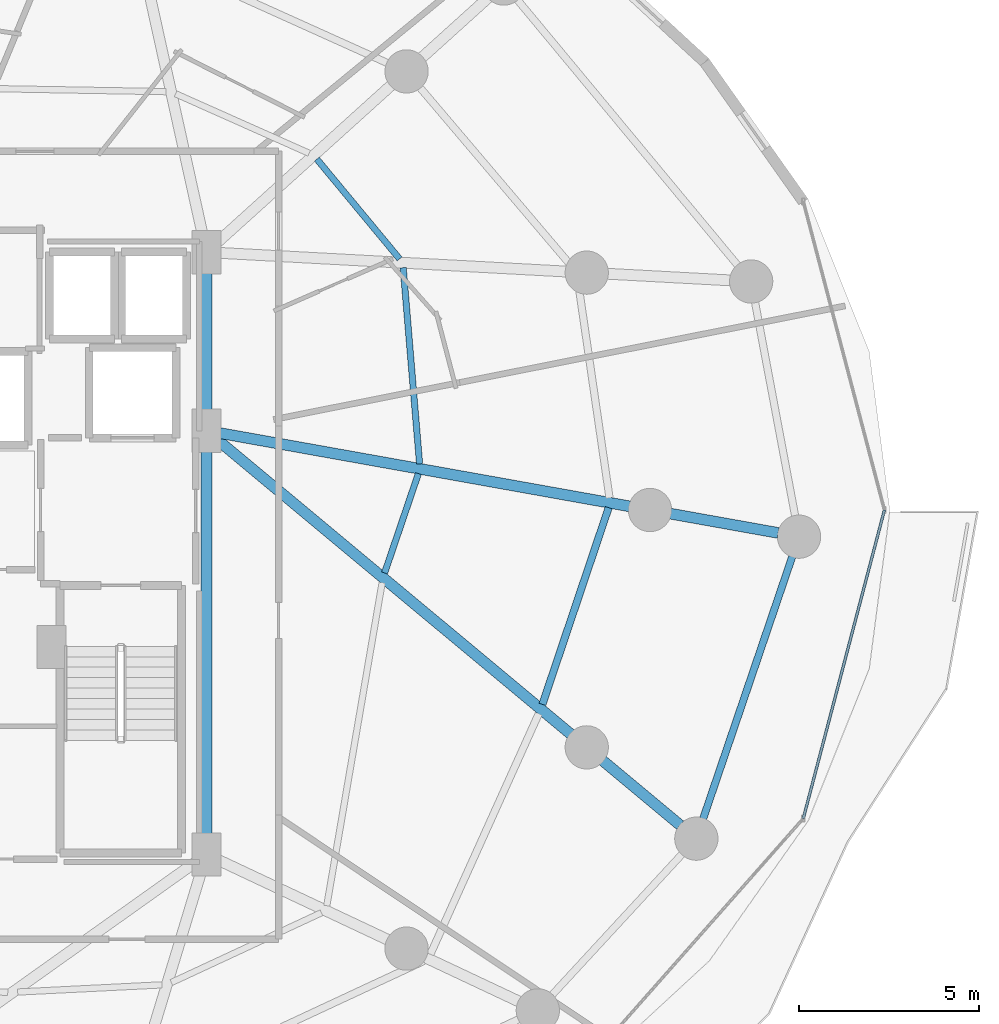
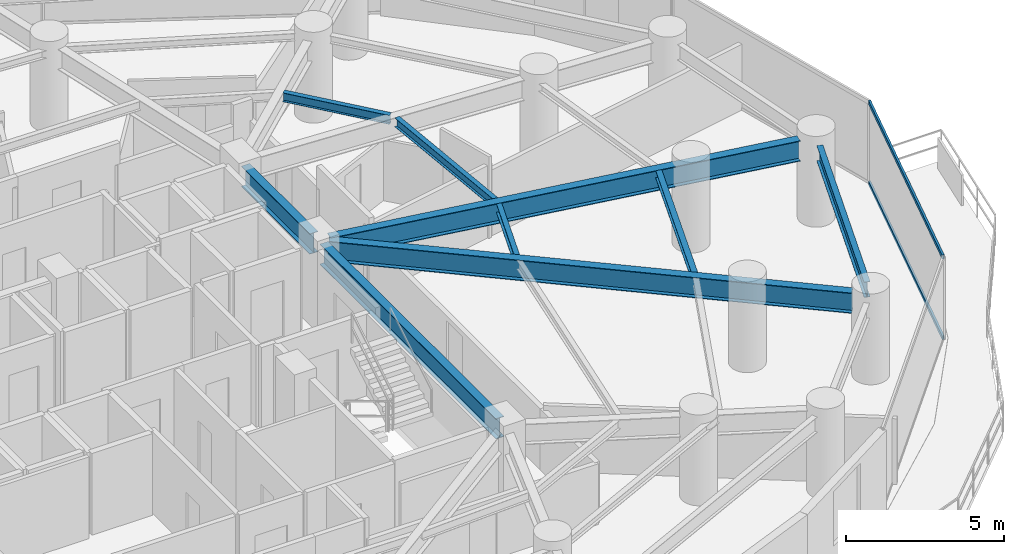
# One storey, part 15 of 34: 9 beams, 2 members, 1 element without a shape of its own.
"""IFC4 building model written with IfcOpenShell, lengths in metres."""

from ifc_helpers import new_model, si_unit, direction, frame, origin, origin_2d, place, context, subcontext, project, spatial, hollow_rectangle, i_section, extrude, material, material_profile, profile_set, type_object, element, aggregate, save


model = new_model("IFC4")

# Units and contexts
model_context = context("Model", 3, precision=1e-05, world=origin(), true_north=direction((0.0, 1.0)))
body_context = subcontext(model_context, "Body", "Model", "MODEL_VIEW")
ifc_project = project(units=[si_unit("LENGTHUNIT", "METRE"), si_unit("AREAUNIT", "SQUARE_METRE"), si_unit("VOLUMEUNIT", "CUBIC_METRE"), si_unit("PLANEANGLEUNIT", "RADIAN"), si_unit("MASSUNIT", "GRAM", prefix="KILO")], contexts=[model_context])

# Site, building, storey
site_placement = place(None, origin())
site = spatial("IfcSite", under=ifc_project, at=site_placement, CompositionType="ELEMENT")
building_placement = place(site_placement, origin())
building = spatial("IfcBuilding", under=site, at=building_placement, Name="Vorneva Point Tower", CompositionType="ELEMENT")
storey_placement = place(building_placement, frame((0.0, 0.0, 66.0)))
storey = spatial("IfcBuildingStorey", under=building, at=storey_placement, Name="L17", CompositionType="ELEMENT", Elevation=66.0)

# Beams
ifc_material_1 = material(Name="Steel S355", Category="steel")
ifc_material_profile_1 = material_profile(ifc_material_1, i_section(OverallWidth=0.300048828125, OverallDepth=0.7880859375, WebThickness=0.014404296875, FlangeThickness=0.02197265625, at=origin_2d()), Name="80Sh1")
ifc_profile_set_1 = profile_set([ifc_material_profile_1], Name="Steel S355")
beam_type_1 = type_object("IfcBeamType", Name="BM-GRD-80Sh1", PredefinedType="USERDEFINED", material=ifc_profile_set_1)
beam_1_placement = place(storey_placement, frame((64.603271484375, 25.364501953125, 2.756103515625), z_axis=(-0.984378532035, 0.176065060895, 0.0), x_axis=(-0.176065060895, -0.984378532035, 0.0)))
element("IfcBeam", 1, at=beam_1_placement, inside=storey, type_object=beam_type_1, Name="L17 Radial Primary Girder 01", ObjectType="GIRDER", PredefinedType="USERDEFINED", context=body_context, shape_type="SweptSolid", body=[
    extrude(i_section(OverallWidth=0.300048828125, OverallDepth=0.7880859375, WebThickness=0.014404296875, FlangeThickness=0.02197265625, at=origin_2d()), origin(), (0.0, 0.0, 1.0), 15.764892578125),
])
beam_2_placement = place(storey_placement, frame((61.883056640625, 17.2626953125, 2.756103515625), z_axis=(-0.768420748131, 0.639944961572, 0.0), x_axis=(-0.639944961572, -0.768420748131, 0.0)))
element("IfcBeam", 2, at=beam_2_placement, inside=storey, type_object=beam_type_1, Name="L17 Radial Primary Girder 16", ObjectType="GIRDER", PredefinedType="USERDEFINED", context=body_context, shape_type="SweptSolid", body=[
    extrude(i_section(OverallWidth=0.300048828125, OverallDepth=0.7880859375, WebThickness=0.014404296875, FlangeThickness=0.02197265625, at=origin_2d()), origin(), (0.0, 0.0, 1.0), 16.7509765625),
])
beam_3_placement = place(storey_placement, frame((48.75, 16.77001953125, 2.756103515625), z_axis=(0.0, 1.0, 0.0), x_axis=(-1.0, 0.0, 0.0)))
element("IfcBeam", 3, at=beam_3_placement, inside=storey, type_object=beam_type_1, Name="L17 Core Tie Girder CT3", ObjectType="GIRDER", PredefinedType="USERDEFINED", context=body_context, shape_type="SweptSolid", body=[
    extrude(i_section(OverallWidth=0.300048828125, OverallDepth=0.7880859375, WebThickness=0.014404296875, FlangeThickness=0.02197265625, at=origin_2d()), origin(), (0.0, 0.0, 1.0), 11.10986328125),
])
beam_4_placement = place(storey_placement, frame((48.75, 28.52001953125, 2.756103515625), z_axis=(0.0, 1.0, 0.0), x_axis=(-1.0, 0.0, 0.0)))
element("IfcBeam", 4, at=beam_4_placement, inside=storey, type_object=beam_type_1, Name="L17 Core Tie Girder CT4", ObjectType="GIRDER", PredefinedType="USERDEFINED", context=body_context, shape_type="SweptSolid", body=[
    extrude(i_section(OverallWidth=0.300048828125, OverallDepth=0.7880859375, WebThickness=0.014404296875, FlangeThickness=0.02197265625, at=origin_2d()), origin(), (0.0, 0.0, 1.0), 4.31005859375),
])
ifc_material_profile_2 = material_profile(ifc_material_1, i_section(OverallWidth=0.199951171875, OverallDepth=0.291015625, WebThickness=0.008056640625, FlangeThickness=0.010986328125, at=origin_2d()), Name="30Sh1")
ifc_profile_set_2 = profile_set([ifc_material_profile_2], Name="Steel S355")
beam_type_2 = type_object("IfcBeamType", Name="BM-SEC-30Sh1", PredefinedType="BEAM", material=ifc_profile_set_2)
beam_5_placement = place(storey_placement, frame((58.065673828125, 20.609619140625, 3.00439453125), z_axis=(0.319228088652, 0.947677913331, 0.0), x_axis=(-0.947677913331, 0.319228088652, 0.0)))
element("IfcBeam", 5, at=beam_5_placement, inside=storey, type_object=beam_type_2, Name="L17 Secondary Floor Beam 1.16", PredefinedType="BEAM", context=body_context, shape_type="SweptSolid", body=[
    extrude(i_section(OverallWidth=0.199951171875, OverallDepth=0.291015625, WebThickness=0.008056640625, FlangeThickness=0.010986328125, at=origin_2d()), origin(), (0.0, 0.0, 1.0), 5.758056640625),
])
ifc_material_profile_3 = material_profile(ifc_material_1, i_section(OverallWidth=0.174072265625, OverallDepth=0.345947265625, WebThickness=0.006103515625, FlangeThickness=0.009033203125, at=origin_2d()), Name="35B1")
ifc_profile_set_3 = profile_set([ifc_material_profile_3], Name="Steel S355")
beam_type_3 = type_object("IfcBeamType", Name="BM-SEC-35B1", PredefinedType="BEAM", material=ifc_profile_set_3)
beam_6_placement = place(storey_placement, frame((54.659912109375, 27.2783203125, 2.97705078125), z_axis=(-0.083300805267, 0.996524448191, 0.0), x_axis=(-0.996524448191, -0.083300805267, 0.0)))
element("IfcBeam", 6, at=beam_6_placement, inside=storey, type_object=beam_type_3, Name="L17 Secondary Floor Beam 2.01", PredefinedType="BEAM", context=body_context, shape_type="SweptSolid", body=[
    extrude(i_section(OverallWidth=0.174072265625, OverallDepth=0.345947265625, WebThickness=0.006103515625, FlangeThickness=0.009033203125, at=origin_2d()), origin(), (0.0, 0.0, 1.0), 5.460205078125),
])
beam_7_placement = place(storey_placement, frame((54.10546875, 32.963134765625, 2.97705078125), z_axis=(-0.638284817765, 0.7698002932, 0.0), x_axis=(-0.7698002932, -0.638284817765, 0.0)))
element("IfcBeam", 7, at=beam_7_placement, inside=storey, type_object=beam_type_3, Name="L17 Secondary Floor Beam 2.02", PredefinedType="BEAM", context=body_context, shape_type="SweptSolid", body=[
    extrude(i_section(OverallWidth=0.174072265625, OverallDepth=0.345947265625, WebThickness=0.006103515625, FlangeThickness=0.009033203125, at=origin_2d()), origin(), (0.0, 0.0, 1.0), 3.593994140625),
])
beam_8_placement = place(storey_placement, frame((53.689697265625, 24.25390625, 2.97705078125), z_axis=(0.321932800665, 0.946762521362, 0.0), x_axis=(-0.946762521362, 0.321932800665, 0.0)))
element("IfcBeam", 8, at=beam_8_placement, inside=storey, type_object=beam_type_3, Name="L17 Secondary Floor Beam 2.16", PredefinedType="BEAM", context=body_context, shape_type="SweptSolid", body=[
    extrude(i_section(OverallWidth=0.174072265625, OverallDepth=0.345947265625, WebThickness=0.006103515625, FlangeThickness=0.009033203125, at=origin_2d()), origin(), (0.0, 0.0, 1.0), 2.911376953125),
])
ifc_material_profile_4 = material_profile(ifc_material_1, i_section(OverallWidth=0.198974609375, OverallDepth=0.595947265625, WebThickness=0.010009765625, FlangeThickness=0.014892578125, at=origin_2d()), Name="60B1")
ifc_profile_set_4 = profile_set([ifc_material_profile_4], Name="Steel S355")
beam_type_4 = type_object("IfcBeamType", Name="BM-SPN-60B1", PredefinedType="SPANDREL", material=ifc_profile_set_4)
beam_9_placement = place(storey_placement, frame((62.523193359375, 17.4404296875, 2.85205078125), z_axis=(0.321909576381, 0.946770418124, 0.0), x_axis=(-0.946770418124, 0.321909576381, 0.0)))
element("IfcBeam", 9, at=beam_9_placement, inside=storey, type_object=beam_type_4, Name="L17 Perimeter Spandrel Ring Beam 16", PredefinedType="SPANDREL", context=body_context, shape_type="SweptSolid", body=[
    extrude(i_section(OverallWidth=0.198974609375, OverallDepth=0.595947265625, WebThickness=0.010009765625, FlangeThickness=0.014892578125, at=origin_2d()), origin(), (0.0, 0.0, 1.0), 7.675048828125),
])

# Curtain wall, members
ifc_material_2 = material(Name="Pale anodised aluminium", Category="aluminium")
curtain_wall_type = type_object("IfcCurtainWallType", Name="CW-HTL-SYS", PredefinedType="NOTDEFINED", material=ifc_material_2)
curtain_wall_placement = place(storey_placement, origin())
curtain_wall = element("IfcCurtainWall", 10, at=curtain_wall_placement, inside=storey, type_object=curtain_wall_type, Name="L17 Unitised Curtain Wall CW-L17-R01", PredefinedType="NOTDEFINED")
ifc_material_profile_5 = material_profile(ifc_material_2, hollow_rectangle(XDim=0.074951171875, YDim=0.14990234375, WallThickness=0.00390625, at=origin_2d()), Name="AL-TRN 150x75x4")
ifc_profile_set_5 = profile_set([ifc_material_profile_5], Name="Pale anodised aluminium")
member_type = type_object("IfcMemberType", Name="CW-TRN-150", PredefinedType="USERDEFINED", material=ifc_profile_set_5)
member_1_placement = place(storey_placement, frame((65.300537109375, 17.447021484375, 0.02001953125), z_axis=(0.254358772746, 0.967109928978, 0.0), x_axis=(-0.967109928978, 0.254358772746, 0.0)))
member_1 = element("IfcMember", 11, at=member_1_placement, type_object=member_type, Name="CW-L17-R01 Transom 02.1", ObjectType="TRANSOM", PredefinedType="USERDEFINED", context=body_context, shape_type="SweptSolid", body=[
    extrude(hollow_rectangle(XDim=0.074951171875, YDim=0.14990234375, WallThickness=0.00390625, at=origin_2d()), origin(), (0.0, 0.0, 1.0), 8.84375),
])
member_2_placement = place(storey_placement, frame((65.300537109375, 17.447021484375, 3.1298828125), z_axis=(0.254358772746, 0.967109928978, 0.0), x_axis=(-0.967109928978, 0.254358772746, 0.0)))
member_2 = element("IfcMember", 12, at=member_2_placement, type_object=member_type, Name="CW-L17-R01 Transom 02.2", ObjectType="TRANSOM", PredefinedType="USERDEFINED", context=body_context, shape_type="SweptSolid", body=[
    extrude(hollow_rectangle(XDim=0.074951171875, YDim=0.14990234375, WallThickness=0.00390625, at=origin_2d()), origin(), (0.0, 0.0, 1.0), 8.84375),
])
aggregate(curtain_wall, [member_1, member_2])

save(model, "model.ifc")
